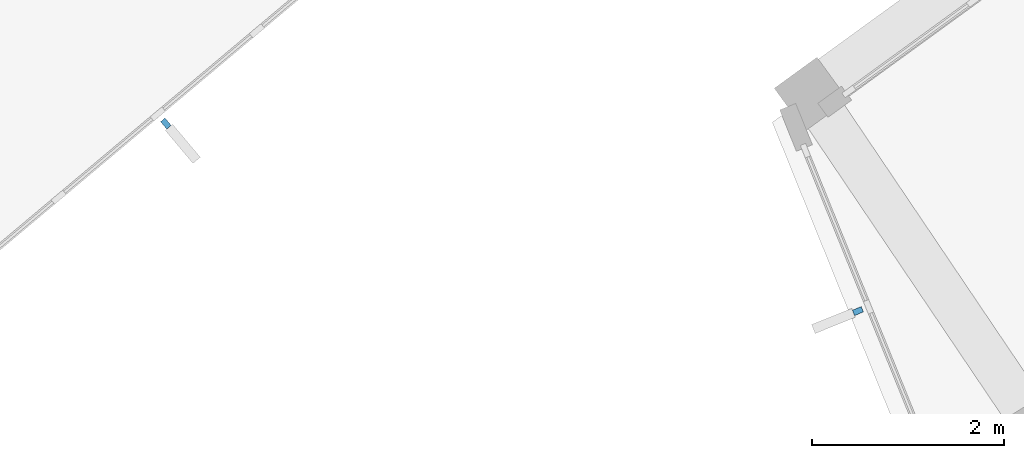
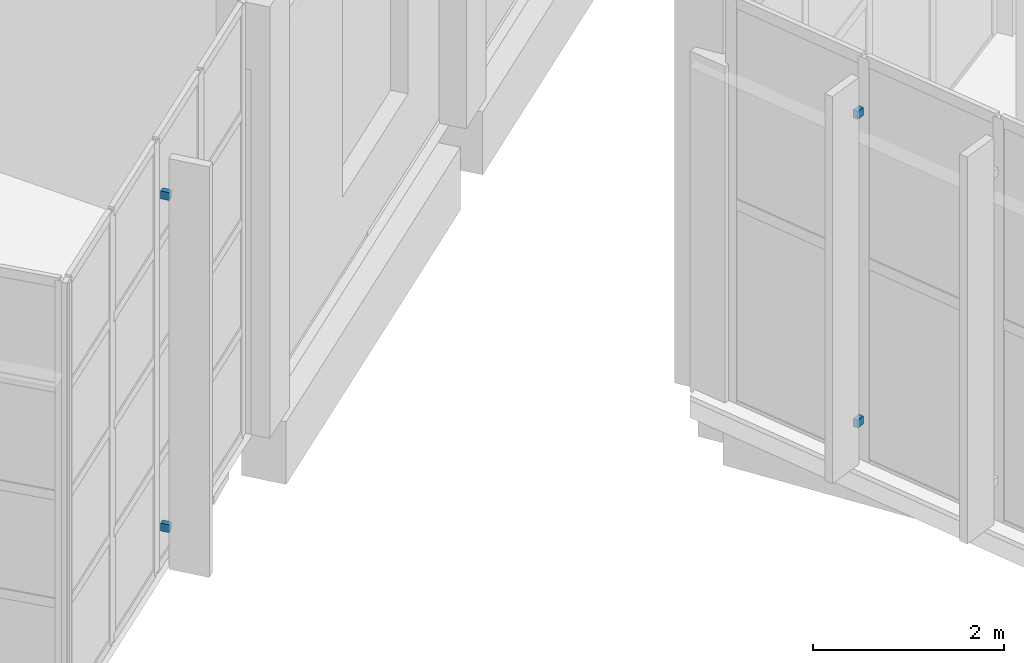
# One storey, part 55 of 87: 4 discrete accessories.
"""IFC4 building model written with IfcOpenShell, lengths in metres."""

from ifc_helpers import new_model, si_unit, direction, frame, origin, origin_2d, place, context, subcontext, project, spatial, rectangle, extrude, material, type_object, element, save


model = new_model("IFC4")

# Units and contexts
model_context = context("Model", 3, precision=1e-05, world=origin(), true_north=direction((0.0, 1.0)))
body_context = subcontext(model_context, "Body", "Model", "MODEL_VIEW")
ifc_project = project(units=[si_unit("LENGTHUNIT", "METRE"), si_unit("AREAUNIT", "SQUARE_METRE"), si_unit("VOLUMEUNIT", "CUBIC_METRE"), si_unit("PLANEANGLEUNIT", "RADIAN"), si_unit("MASSUNIT", "GRAM", prefix="KILO")], contexts=[model_context])

# Site, building, storey
site_placement = place(None, origin())
site = spatial("IfcSite", under=ifc_project, at=site_placement, CompositionType="ELEMENT")
building_placement = place(site_placement, origin())
building = spatial("IfcBuilding", under=site, at=building_placement, Name="Lunette Opera House", CompositionType="ELEMENT")
storey_placement = place(building_placement, frame((0.0, 0.0, 11.5)))
storey = spatial("IfcBuildingStorey", under=building, at=storey_placement, Name="L02", CompositionType="ELEMENT", Elevation=11.5)

# Discrete accessories
ifc_material = material(Name="Galvanised steel", Category="steel")
discrete_accessory_type = type_object("IfcDiscreteAccessoryType", Name="FIN BRACKET STEEL", PredefinedType="BRACKET", material=ifc_material)
for number, where, z_axis, x_axis, name in (
    (1, (138.216064453125, 35.25390625, 0.56494140625), (0.0, 0.0, 1.0), (0.642839751189, -0.76600068818, 0.0), "Fin bracket FC-X2176 2 1"),
    (2, (138.216064453125, 35.25390625, 4.800048828125), (0.0, 0.0, 1.0), (0.642839751189, -0.76600068818, 0.0), "Fin bracket FC-X2176 2 2"),
    (3, (145.43408203125, 33.298095703125, 0.56494140625), (0.0, 0.0, 1.0), (-0.927168162269, -0.374645430874, 0.0), "Fin bracket SB-X2013 1 1"),
    (4, (145.43408203125, 33.298095703125, 4.5), (0.0, 0.0, 1.0), (-0.927168162269, -0.374645430874, 0.0), "Fin bracket SB-X2013 1 2"),
):
    element("IfcDiscreteAccessory", number, at=place(storey_placement, frame(where, z_axis=z_axis, x_axis=x_axis)), inside=storey, type_object=discrete_accessory_type, Name=name, PredefinedType="BRACKET", context=body_context, shape_type="SweptSolid", body=[
        extrude(rectangle(XDim=0.10009765625, YDim=0.06005859375, at=origin_2d()), origin(), (0.0, 0.0, 1.0), 0.10009765625),
    ])

save(model, "model.ifc")
